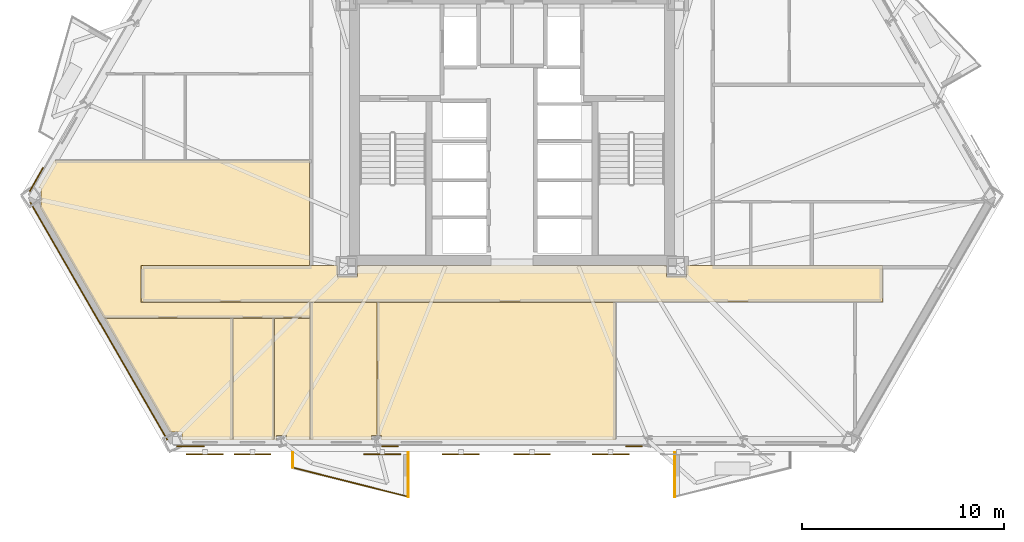
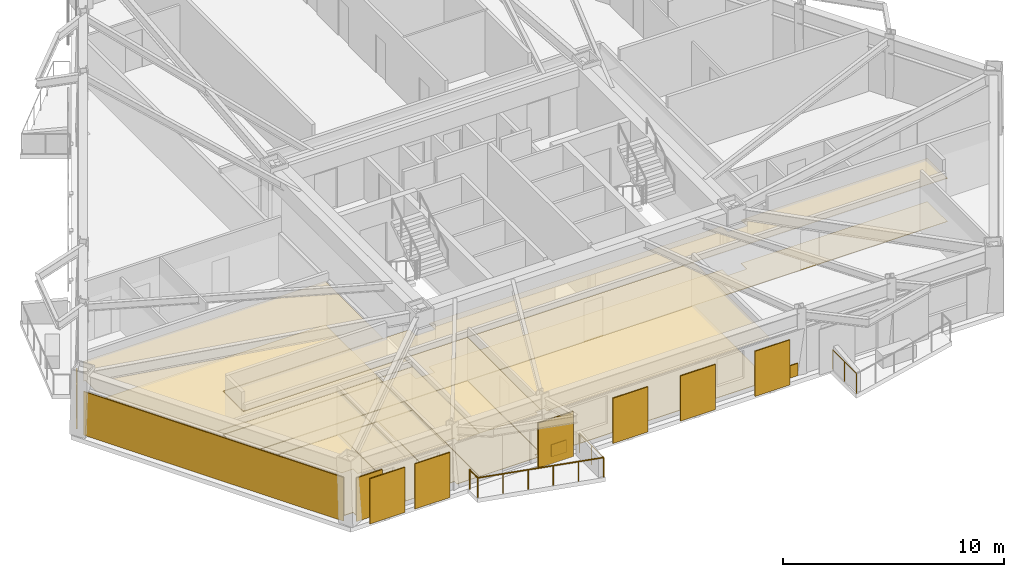
# One storey, part 7 of 10: 19 coverings, 6 shading devices, 4 railings.
"""IFC4 building model written with IfcOpenShell, lengths in metres."""

from ifc_helpers import new_model, si_unit, direction, frame, origin, origin_2d, place, context, subcontext, project, spatial, polyline, rectangle, circle, outline, extrude, material, layer, layer_set, type_object, element, save


model = new_model("IFC4")

# Units and contexts
model_context = context("Model", 3, precision=1e-05, world=origin(), true_north=direction((0.0, 1.0)))
body_context = subcontext(model_context, "Body", "Model", "MODEL_VIEW")
ifc_project = project(units=[si_unit("LENGTHUNIT", "METRE"), si_unit("AREAUNIT", "SQUARE_METRE"), si_unit("VOLUMEUNIT", "CUBIC_METRE"), si_unit("PLANEANGLEUNIT", "RADIAN"), si_unit("MASSUNIT", "GRAM", prefix="KILO")], contexts=[model_context])

# Site, building, storey
site_placement = place(None, origin())
site = spatial("IfcSite", under=ifc_project, at=site_placement, CompositionType="ELEMENT")
building_placement = place(site_placement, origin())
building = spatial("IfcBuilding", under=site, at=building_placement, Name="Oramaril Tower", CompositionType="ELEMENT")
storey_placement = place(building_placement, frame((0.0, 0.0, 59.699951171875)))
storey = spatial("IfcBuildingStorey", under=building, at=storey_placement, Name="L15", CompositionType="ELEMENT", Elevation=59.699951171875)

# Coverings
ifc_material_1 = material(Name="Mineral Fibre Acoustic Ceiling")
ifc_layer_1 = layer(ifc_material_1, 0.02001953125)
ifc_layer_set_1 = layer_set([ifc_layer_1], Name="CVT-CEIL")
covering_type_1 = type_object("IfcCoveringType", Name="CVT-CEIL", PredefinedType="CEILING", material=ifc_layer_set_1)
covering_1_placement = place(storey_placement, frame((0.0, 0.0, 2.400146484375)))
element("IfcCovering", 1, at=covering_1_placement, inside=storey, type_object=covering_type_1, Name="L15 Acoustic Suspended Ceiling 1", PredefinedType="CEILING", context=body_context, shape_type="SweptSolid", body=[
    extrude(outline(polyline([(28.85498046875, 10.5048828125), (29.844970703125, 10.5048828125), (29.844970703125, 11.030029296875), (45.155029296875, 11.030029296875), (45.155029296875, 10.5048828125), (46.14501953125, 10.5048828125), (46.14501953125, 11.030029296875), (55.8798828125, 11.030029296875), (55.8798828125, 9.219970703125), (19.1201171875, 9.219970703125), (19.1201171875, 11.030029296875), (28.85498046875, 11.030029296875), (28.85498046875, 10.5048828125)])), origin(), (0.0, 0.0, 1.0), 0.02001953125),
])
covering_2_placement = place(storey_placement, frame((0.0, 0.0, 2.400146484375)))
element("IfcCovering", 2, at=covering_2_placement, inside=storey, type_object=covering_type_1, Name="L15 Acoustic Suspended Ceiling 5", PredefinedType="CEILING", context=body_context, shape_type="SweptSolid", body=[
    extrude(outline(polyline([(31.02001953125, 2.381591796875), (31.02001953125, 2.607421875), (30.819091796875, 2.607421875), (30.819091796875, 9.199951171875), (42.64208984375, 9.199951171875), (42.64208984375, 2.381591796875), (31.02001953125, 2.381591796875)])), origin(), (0.0, 0.0, 1.0), 0.02001953125),
])
covering_3_placement = place(storey_placement, frame((0.0, 0.0, 2.400146484375)))
element("IfcCovering", 3, at=covering_3_placement, inside=storey, type_object=covering_type_1, Name="L15 Acoustic Suspended Ceiling 6", PredefinedType="CEILING", context=body_context, shape_type="SweptSolid", body=[
    extrude(outline(polyline([(27.508056640625, 9.199951171875), (30.799072265625, 9.199951171875), (30.799072265625, 2.607421875), (30.528076171875, 2.607421875), (30.528076171875, 2.381591796875), (27.508056640625, 2.381591796875), (27.508056640625, 9.199951171875)])), origin(), (0.0, 0.0, 1.0), 0.02001953125),
])
covering_4_placement = place(storey_placement, frame((0.0, 0.0, 2.400146484375)))
element("IfcCovering", 4, at=covering_4_placement, inside=storey, type_object=covering_type_1, Name="L15 Acoustic Suspended Ceiling 9", PredefinedType="CEILING", context=body_context, shape_type="SweptSolid", body=[
    extrude(outline(polyline([(27.449951171875, 16.241943359375), (27.449951171875, 11.050048828125), (19.1201171875, 11.050048828125), (19.117919921875, 11.0498046875), (19.1162109375, 11.049560546875), (19.1142578125, 11.049072265625), (19.1123046875, 11.048583984375), (19.110595703125, 11.047607421875), (19.10888671875, 11.046630859375), (19.107421875, 11.04541015625), (19.10595703125, 11.044189453125), (19.1044921875, 11.042724609375), (19.103515625, 11.041015625), (19.102294921875, 11.039306640625), (19.1015625, 11.03759765625), (19.100830078125, 11.035888671875), (19.100341796875, 11.033935546875), (19.10009765625, 11.031982421875), (19.10009765625, 11.030029296875), (19.10009765625, 9.219970703125), (19.10009765625, 9.218017578125), (19.100341796875, 9.216064453125), (19.100830078125, 9.214111328125), (19.1015625, 9.21240234375), (19.102294921875, 9.210693359375), (19.103515625, 9.208984375), (19.1044921875, 9.207275390625), (19.10595703125, 9.205810546875), (19.107421875, 9.20458984375), (19.10888671875, 9.203369140625), (19.110595703125, 9.202392578125), (19.1123046875, 9.201416015625), (19.1142578125, 9.200927734375), (19.1162109375, 9.200439453125), (19.117919921875, 9.2001953125), (19.1201171875, 9.199951171875), (27.488037109375, 9.199951171875), (27.488037109375, 8.443359375), (17.270263671875, 8.443359375), (14.08349609375, 13.963134765625), (14.14697265625, 13.963134765625), (14.14697265625, 14.890380859375), (14.032958984375, 14.890380859375), (14.813232421875, 16.241943359375), (27.449951171875, 16.241943359375)])), origin(), (0.0, 0.0, 1.0), 0.02001953125),
])
covering_5_placement = place(storey_placement, frame((0.0, 0.0, 2.400146484375)))
element("IfcCovering", 5, at=covering_5_placement, inside=storey, type_object=covering_type_1, Name="L15 Acoustic Suspended Ceiling 10", PredefinedType="CEILING", context=body_context, shape_type="SweptSolid", body=[
    extrude(outline(polyline([(21.127685546875, 2.381591796875), (21.127685546875, 2.790283203125), (20.533935546875, 2.790283203125), (17.28173828125, 8.42333984375), (23.652099609375, 8.42333984375), (23.652099609375, 2.381591796875), (21.127685546875, 2.381591796875)])), origin(), (0.0, 0.0, 1.0), 0.02001953125),
])
covering_6_placement = place(storey_placement, frame((0.0, 0.0, 2.400146484375)))
element("IfcCovering", 6, at=covering_6_placement, inside=storey, type_object=covering_type_1, Name="L15 Acoustic Suspended Ceiling 11", PredefinedType="CEILING", context=body_context, shape_type="SweptSolid", body=[
    extrude(outline(polyline([(23.672119140625, 2.381591796875), (23.672119140625, 8.42333984375), (25.701904296875, 8.42333984375), (25.701904296875, 2.381591796875), (23.672119140625, 2.381591796875)])), origin(), (0.0, 0.0, 1.0), 0.02001953125),
])
covering_7_placement = place(storey_placement, frame((0.0, 0.0, 2.400146484375)))
element("IfcCovering", 7, at=covering_7_placement, inside=storey, type_object=covering_type_1, Name="L15 Acoustic Suspended Ceiling 12", PredefinedType="CEILING", context=body_context, shape_type="SweptSolid", body=[
    extrude(outline(polyline([(26.318115234375, 2.381591796875), (26.318115234375, 2.607421875), (25.813720703125, 2.607421875), (25.813720703125, 2.381591796875), (25.721923828125, 2.381591796875), (25.721923828125, 8.42333984375), (27.488037109375, 8.42333984375), (27.488037109375, 2.381591796875), (26.318115234375, 2.381591796875)])), origin(), (0.0, 0.0, 1.0), 0.02001953125),
])
ifc_material_2 = material(Name="Warm Cream Limestone", Category="masonry")
ifc_layer_2 = layer(ifc_material_2, 0.050048828125)
ifc_layer_set_2 = layer_set([ifc_layer_2], Name="CVT-CLD")
covering_type_2 = type_object("IfcCoveringType", Name="CVT-CLD", PredefinedType="CLADDING", material=ifc_layer_set_2)
covering_8_placement = place(storey_placement, frame((17.01953125, 8.275390625, 0.0400390625), z_axis=(0.0, 0.0, 1.0), x_axis=(0.500001511499, -0.866024531118, 0.0)))
element("IfcCovering", 8, at=covering_8_placement, inside=storey, type_object=covering_type_2, Name="L15 Warm Cream Limestone Cladding", PredefinedType="CLADDING", context=body_context, shape_type="SweptSolid", body=[
    extrude(rectangle(XDim=13.58349609375, YDim=0.050048828125, at=origin_2d()), origin(), (0.0, 0.0, 1.0), 2.4140625),
])
covering_9_placement = place(storey_placement, frame((21.5576171875, 2.080810546875, 0.0400390625), z_axis=(0.0, 0.0, 1.0), x_axis=(1.0, 0.0, 0.0)))
element("IfcCovering", 9, at=covering_9_placement, inside=storey, type_object=covering_type_2, Name="L15 Warm Cream Limestone Cladding", PredefinedType="CLADDING", context=body_context, shape_type="SweptSolid", body=[
    extrude(rectangle(XDim=1.35009765625, YDim=0.050048828125, at=origin_2d()), origin(), (0.0, 0.0, 1.0), 2.4140625),
])
for number, where, z_axis, x_axis, name in (
    (10, (31.45458984375, 2.080810546875, 0.0400390625), (0.0, 0.0, 1.0), (1.0, 0.0, 0.0), "L15 Warm Cream Limestone Spandrel Cladding"),
    (11, (43.54541015625, 2.080810546875, 0.0400390625), (0.0, 0.0, 1.0), (1.0, 0.0, 0.0), "L15 Warm Cream Limestone Spandrel Cladding"),
):
    element("IfcCovering", number, at=place(storey_placement, frame(where, z_axis=z_axis, x_axis=x_axis)), inside=storey, type_object=covering_type_2, Name=name, PredefinedType="CLADDING", context=body_context, shape_type="SweptSolid", body=[
        extrude(rectangle(XDim=0.800048828125, YDim=0.050048828125, at=origin_2d()), origin(), (0.0, 0.0, 1.0), 0.679931640625),
    ])
covering_10_placement = place(storey_placement, frame((13.923583984375, 15.302978515625, 0.0400390625), z_axis=(0.0, 0.0, 1.0), x_axis=(-0.4999984885, -0.866026276448, 0.0)))
element("IfcCovering", 12, at=covering_10_placement, inside=storey, type_object=covering_type_2, Name="L15 Warm Cream Limestone Cladding", PredefinedType="CLADDING", context=body_context, shape_type="SweptSolid", body=[
    extrude(rectangle(XDim=1.35009765625, YDim=0.050048828125, at=origin_2d()), origin(), (0.0, 0.0, 1.0), 2.4140625),
])
ifc_material_3 = material(Name="Honed Quartzite Stone Flooring", Category="masonry")
ifc_layer_3 = layer(ifc_material_3, 0.02490234375)
ifc_layer_set_3 = layer_set([ifc_layer_3], Name="CVT-FLR")
covering_type_3 = type_object("IfcCoveringType", Name="CVT-FLR", PredefinedType="FLOORING", material=ifc_layer_set_3)
covering_11_placement = place(storey_placement, origin())
element("IfcCovering", 13, at=covering_11_placement, inside=storey, type_object=covering_type_3, Name="L15 Honed Stone Floor Finish 1", PredefinedType="FLOORING", context=body_context, shape_type="SweptSolid", body=[
    extrude(outline(polyline([(28.85498046875, 10.5048828125), (29.844970703125, 10.5048828125), (29.844970703125, 11.030029296875), (45.155029296875, 11.030029296875), (45.155029296875, 10.5048828125), (46.14501953125, 10.5048828125), (46.14501953125, 11.030029296875), (55.8798828125, 11.030029296875), (55.8798828125, 9.219970703125), (19.1201171875, 9.219970703125), (19.1201171875, 11.030029296875), (28.85498046875, 11.030029296875), (28.85498046875, 10.5048828125)])), origin(), (0.0, 0.0, 1.0), 0.025146484375),
])
covering_12_placement = place(storey_placement, origin())
element("IfcCovering", 14, at=covering_12_placement, inside=storey, type_object=covering_type_3, Name="L15 Honed Stone Floor Finish 5", PredefinedType="FLOORING", context=body_context, shape_type="SweptSolid", body=[
    extrude(outline(polyline([(31.02001953125, 2.381591796875), (31.02001953125, 2.607421875), (30.819091796875, 2.607421875), (30.819091796875, 9.199951171875), (42.64208984375, 9.199951171875), (42.64208984375, 2.381591796875), (31.02001953125, 2.381591796875)])), origin(), (0.0, 0.0, 1.0), 0.025146484375),
])
covering_13_placement = place(storey_placement, origin())
element("IfcCovering", 15, at=covering_13_placement, inside=storey, type_object=covering_type_3, Name="L15 Honed Stone Floor Finish 6", PredefinedType="FLOORING", context=body_context, shape_type="SweptSolid", body=[
    extrude(outline(polyline([(27.508056640625, 9.199951171875), (30.799072265625, 9.199951171875), (30.799072265625, 2.607421875), (30.528076171875, 2.607421875), (30.528076171875, 2.381591796875), (27.508056640625, 2.381591796875), (27.508056640625, 9.199951171875)])), origin(), (0.0, 0.0, 1.0), 0.025146484375),
])
covering_14_placement = place(storey_placement, origin())
element("IfcCovering", 16, at=covering_14_placement, inside=storey, type_object=covering_type_3, Name="L15 Honed Stone Floor Finish 9", PredefinedType="FLOORING", context=body_context, shape_type="SweptSolid", body=[
    extrude(outline(polyline([(27.449951171875, 16.241943359375), (27.449951171875, 11.050048828125), (19.1201171875, 11.050048828125), (19.117919921875, 11.0498046875), (19.1162109375, 11.049560546875), (19.1142578125, 11.049072265625), (19.1123046875, 11.048583984375), (19.110595703125, 11.047607421875), (19.10888671875, 11.046630859375), (19.107421875, 11.04541015625), (19.10595703125, 11.044189453125), (19.1044921875, 11.042724609375), (19.103515625, 11.041015625), (19.102294921875, 11.039306640625), (19.1015625, 11.03759765625), (19.100830078125, 11.035888671875), (19.100341796875, 11.033935546875), (19.10009765625, 11.031982421875), (19.10009765625, 11.030029296875), (19.10009765625, 9.219970703125), (19.10009765625, 9.218017578125), (19.100341796875, 9.216064453125), (19.100830078125, 9.214111328125), (19.1015625, 9.21240234375), (19.102294921875, 9.210693359375), (19.103515625, 9.208984375), (19.1044921875, 9.207275390625), (19.10595703125, 9.205810546875), (19.107421875, 9.20458984375), (19.10888671875, 9.203369140625), (19.110595703125, 9.202392578125), (19.1123046875, 9.201416015625), (19.1142578125, 9.200927734375), (19.1162109375, 9.200439453125), (19.117919921875, 9.2001953125), (19.1201171875, 9.199951171875), (27.488037109375, 9.199951171875), (27.488037109375, 8.443359375), (17.270263671875, 8.443359375), (14.08349609375, 13.963134765625), (14.14697265625, 13.963134765625), (14.14697265625, 14.890380859375), (14.032958984375, 14.890380859375), (14.813232421875, 16.241943359375), (27.449951171875, 16.241943359375)])), origin(), (0.0, 0.0, 1.0), 0.025146484375),
])
covering_15_placement = place(storey_placement, origin())
element("IfcCovering", 17, at=covering_15_placement, inside=storey, type_object=covering_type_3, Name="L15 Honed Stone Floor Finish 10", PredefinedType="FLOORING", context=body_context, shape_type="SweptSolid", body=[
    extrude(outline(polyline([(21.127685546875, 2.381591796875), (21.127685546875, 2.790283203125), (20.533935546875, 2.790283203125), (17.28173828125, 8.42333984375), (23.652099609375, 8.42333984375), (23.652099609375, 2.381591796875), (21.127685546875, 2.381591796875)])), origin(), (0.0, 0.0, 1.0), 0.025146484375),
])
covering_16_placement = place(storey_placement, origin())
element("IfcCovering", 18, at=covering_16_placement, inside=storey, type_object=covering_type_3, Name="L15 Honed Stone Floor Finish 11", PredefinedType="FLOORING", context=body_context, shape_type="SweptSolid", body=[
    extrude(outline(polyline([(23.672119140625, 2.381591796875), (23.672119140625, 8.42333984375), (25.701904296875, 8.42333984375), (25.701904296875, 2.381591796875), (23.672119140625, 2.381591796875)])), origin(), (0.0, 0.0, 1.0), 0.025146484375),
])
covering_17_placement = place(storey_placement, origin())
element("IfcCovering", 19, at=covering_17_placement, inside=storey, type_object=covering_type_3, Name="L15 Honed Stone Floor Finish 12", PredefinedType="FLOORING", context=body_context, shape_type="SweptSolid", body=[
    extrude(outline(polyline([(26.318115234375, 2.381591796875), (26.318115234375, 2.607421875), (25.813720703125, 2.607421875), (25.813720703125, 2.381591796875), (25.721923828125, 2.381591796875), (25.721923828125, 8.42333984375), (27.488037109375, 8.42333984375), (27.488037109375, 2.381591796875), (26.318115234375, 2.381591796875)])), origin(), (0.0, 0.0, 1.0), 0.025146484375),
])

# Railings
ifc_material_4 = material(Name="Stainless Steel 316L", Category="steel")
railing_type = type_object("IfcRailingType", Name="RLT-GRD", PredefinedType="GUARDRAIL", material=ifc_material_4)
railing_1_placement = place(storey_placement, frame((32.35693359375, 1.765625, 0.0)))
element("IfcRailing", 20, at=railing_1_placement, inside=storey, type_object=railing_type, Name="L15 Balcony Guardrail L15-BAL-S1.1", PredefinedType="GUARDRAIL", context=body_context, shape_type="SweptSolid", body=[
    extrude(circle(Radius=0.02392578125, at=origin_2d()), frame((0.0, 0.0, 1.076171875), z_axis=(0.0, -1.0, 0.0), x_axis=(1.0, 0.0, 0.0)), (0.0, 0.0, 1.0), 2.19189453125),
    extrude(circle(Radius=0.02099609375, at=origin_2d()), origin(), (0.0, 0.0, 1.0), 1.052001953125),
    extrude(circle(Radius=0.02099609375, at=origin_2d()), frame((0.0, -1.095947265625, 0.0)), (0.0, 0.0, 1.0), 1.052001953125),
    extrude(circle(Radius=0.02099609375, at=origin_2d()), frame((0.0, -2.19189453125, 0.0)), (0.0, 0.0, 1.0), 1.052001953125),
])
railing_2_placement = place(storey_placement, frame((32.35693359375, -0.42626953125, 0.0)))
element("IfcRailing", 21, at=railing_2_placement, inside=storey, type_object=railing_type, Name="L15 Balcony Guardrail L15-BAL-S1.2", PredefinedType="GUARDRAIL", context=body_context, shape_type="SweptSolid", body=[
    extrude(circle(Radius=0.02392578125, at=origin_2d()), frame((0.0, 0.0, 1.076171875), z_axis=(-0.969443611257, 0.245314256807, 0.0), x_axis=(-0.245314256807, -0.969443611257, 0.0)), (0.0, 0.0, 1.0), 5.91064453125),
    extrude(circle(Radius=0.02099609375, at=origin_2d()), origin(), (0.0, 0.0, 1.0), 1.052001953125),
    extrude(circle(Radius=0.02099609375, at=origin_2d()), frame((-1.14599609375, 0.2900390625, 0.0)), (0.0, 0.0, 1.0), 1.052001953125),
    extrude(circle(Radius=0.02099609375, at=origin_2d()), frame((-2.2919921875, 0.580078125, 0.0)), (0.0, 0.0, 1.0), 1.052001953125),
    extrude(circle(Radius=0.02099609375, at=origin_2d()), frame((-3.43798828125, 0.869873046875, 0.0)), (0.0, 0.0, 1.0), 1.052001953125),
    extrude(circle(Radius=0.02099609375, at=origin_2d()), frame((-4.583984375, 1.159912109375, 0.0)), (0.0, 0.0, 1.0), 1.052001953125),
    extrude(circle(Radius=0.02099609375, at=origin_2d()), frame((-5.72998046875, 1.449951171875, 0.0)), (0.0, 0.0, 1.0), 1.052001953125),
])
railing_3_placement = place(storey_placement, frame((26.626953125, 1.023681640625, 0.0)))
element("IfcRailing", 22, at=railing_3_placement, inside=storey, type_object=railing_type, Name="L15 Balcony Guardrail L15-BAL-S1.3", PredefinedType="GUARDRAIL", context=body_context, shape_type="SweptSolid", body=[
    extrude(circle(Radius=0.02392578125, at=origin_2d()), frame((0.0, 0.0, 1.076171875), z_axis=(0.0, 1.0, 0.0), x_axis=(-1.0, 0.0, 0.0)), (0.0, 0.0, 1.0), 0.741943359375),
    extrude(circle(Radius=0.02099609375, at=origin_2d()), origin(), (0.0, 0.0, 1.0), 1.052001953125),
    extrude(circle(Radius=0.02099609375, at=origin_2d()), frame((0.0, 0.741943359375, 0.0)), (0.0, 0.0, 1.0), 1.052001953125),
])
railing_4_placement = place(storey_placement, frame((45.568115234375, -0.42626953125, 0.0)))
element("IfcRailing", 23, at=railing_4_placement, inside=storey, type_object=railing_type, Name="L15 Balcony Guardrail L15-BAL-S2.3", PredefinedType="GUARDRAIL", context=body_context, shape_type="SweptSolid", body=[
    extrude(circle(Radius=0.02392578125, at=origin_2d()), frame((0.0, 0.0, 1.076171875), z_axis=(0.0, 1.0, 0.0), x_axis=(-1.0, 0.0, 0.0)), (0.0, 0.0, 1.0), 2.19189453125),
    extrude(circle(Radius=0.02099609375, at=origin_2d()), origin(), (0.0, 0.0, 1.0), 1.052001953125),
    extrude(circle(Radius=0.02099609375, at=origin_2d()), frame((0.0, 1.095947265625, 0.0)), (0.0, 0.0, 1.0), 1.052001953125),
    extrude(circle(Radius=0.02099609375, at=origin_2d()), frame((0.0, 2.19189453125, 0.0)), (0.0, 0.0, 1.0), 1.052001953125),
])

# Shading devices
for number, where, z_axis, x_axis, name in (
    (24, (31.069580078125, 1.693603515625, -0.02001953125), (0.0, 0.0, 1.0), (1.0, 0.0, 0.0), "L15 Perforated Ceramic Solar Screen"),
    (25, (34.9697265625, 1.693603515625, -0.02001953125), (0.0, 0.0, 1.0), (1.0, 0.0, 0.0), "L15 Perforated Ceramic Solar Screen"),
    (26, (38.4912109375, 1.693603515625, -0.02001953125), (0.0, 0.0, 1.0), (1.0, 0.0, 0.0), "L15 Perforated Ceramic Solar Screen"),
    (27, (42.391357421875, 1.693603515625, -0.02001953125), (0.0, 0.0, 1.0), (1.0, 0.0, 0.0), "L15 Perforated Ceramic Solar Screen"),
    (28, (22.278564453125, 1.693603515625, -0.02001953125), (0.0, 0.0, 1.0), (1.0, 0.0, 0.0), "L15 Perforated Ceramic Solar Screen"),
    (29, (24.635009765625, 1.693603515625, -0.02001953125), (0.0, 0.0, 1.0), (1.0, 0.0, 0.0), "L15 Perforated Ceramic Solar Screen"),
):
    element("IfcShadingDevice", number, at=place(storey_placement, frame(where, z_axis=z_axis, x_axis=x_axis)), inside=storey, Name=name, ObjectType="SCREEN", PredefinedType="USERDEFINED", context=body_context, shape_type="SweptSolid", body=[
        extrude(rectangle(XDim=1.8330078125, YDim=0.050048828125, at=origin_2d()), origin(), (0.0, 0.0, 1.0), 2.493896484375),
    ])

save(model, "model.ifc")
